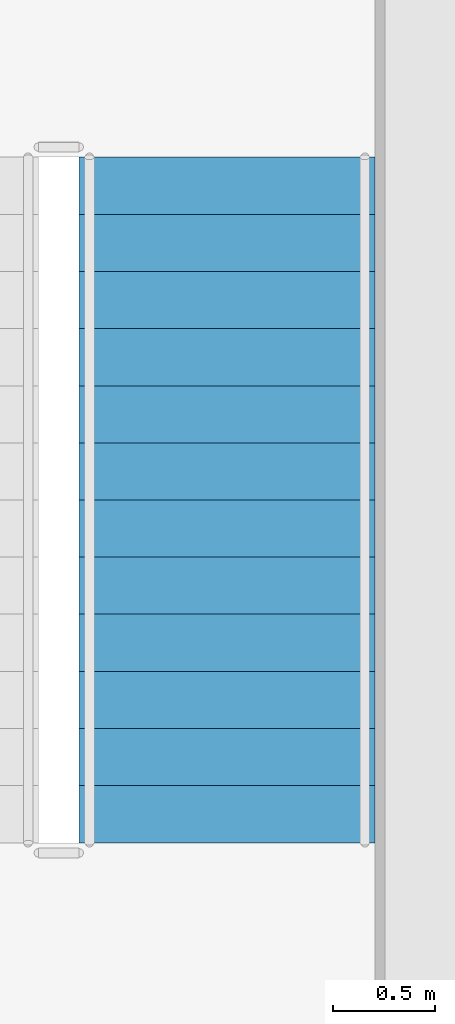
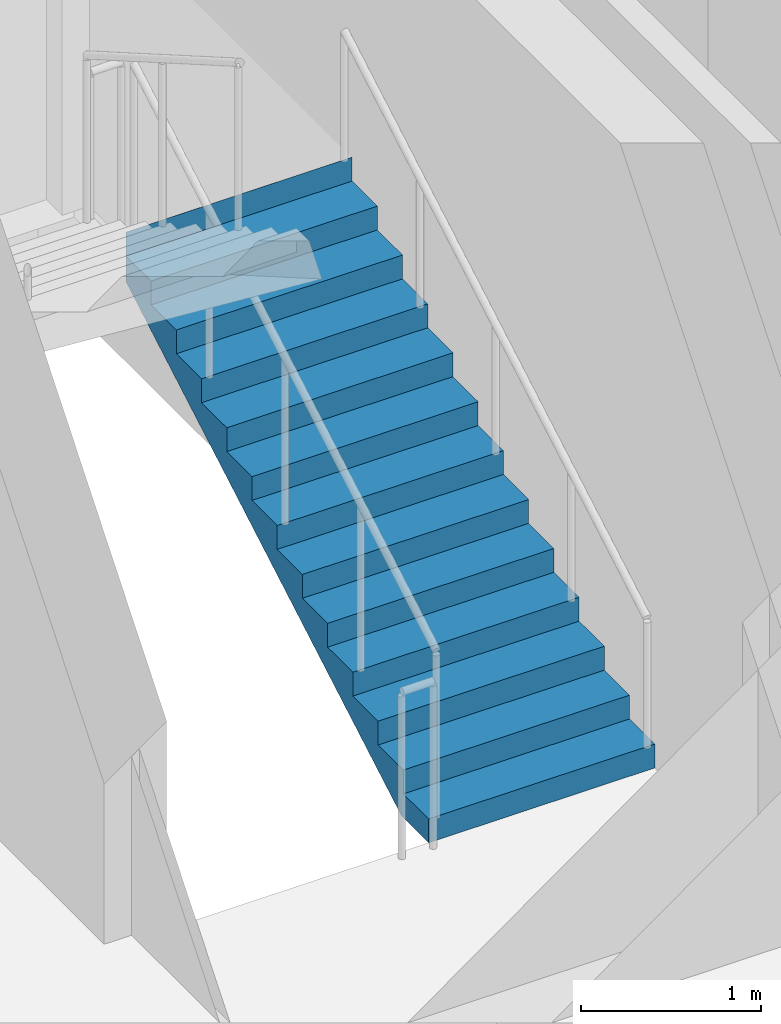
# One storey, part 9 of 11: 1 stair flight, 1 element without a shape of its own.
"""IFC4 building model written with IfcOpenShell, lengths in metres."""

from ifc_helpers import new_model, si_unit, direction, frame, origin, place, context, subcontext, project, spatial, polyline, outline, extrude, material, type_object, element, aggregate, save


model = new_model("IFC4")

# Units and contexts
model_context = context("Model", 3, precision=1e-05, world=origin(), true_north=direction((0.0, 1.0)))
body_context = subcontext(model_context, "Body", "Model", "MODEL_VIEW")
ifc_project = project(units=[si_unit("LENGTHUNIT", "METRE"), si_unit("AREAUNIT", "SQUARE_METRE"), si_unit("VOLUMEUNIT", "CUBIC_METRE"), si_unit("PLANEANGLEUNIT", "RADIAN"), si_unit("MASSUNIT", "GRAM", prefix="KILO")], contexts=[model_context])

# Site, building, storey
site_placement = place(None, origin())
site = spatial("IfcSite", under=ifc_project, at=site_placement, CompositionType="ELEMENT")
building_placement = place(site_placement, origin())
building = spatial("IfcBuilding", under=site, at=building_placement, Name="Brinegate Botanical Conservatory", CompositionType="ELEMENT")
storey_placement = place(building_placement, frame((0.0, 0.0, 23.39990234375)))
storey = spatial("IfcBuildingStorey", under=building, at=storey_placement, Name="L06", CompositionType="ELEMENT", Elevation=23.39990234375)

# Stair, stair flight
ifc_material = material(Name="Concrete C40/50", Category="concrete")
stair_type = type_object("IfcStairType", Name="Stair_HT-4200", PredefinedType="HALF_TURN_STAIR", material=ifc_material)
stair_placement = place(storey_placement, origin())
stair = element("IfcStair", 1, at=stair_placement, inside=storey, type_object=stair_type, Name="L06 Tower East Smoke-Proof Stair ST2", PredefinedType="HALF_TURN_STAIR")
stair_flight_type = type_object("IfcStairFlightType", Name="Flight_SF-4200", PredefinedType="STRAIGHT", material=ifc_material)
stair_flight_placement = place(storey_placement, frame((154.625, 96.89990234375, 0.0), z_axis=(0.0, 0.0, 1.0), x_axis=(0.0, 1.0, 0.0)))
stair_flight = element("IfcStairFlight", 2, at=stair_flight_placement, type_object=stair_flight_type, Name="ST2 flight 1", NumberOfRisers=13, NumberOfTreads=12, PredefinedType="STRAIGHT", RiserHeight=0.161538462, TreadLength=0.28, context=body_context, shape_type="SweptSolid", body=[
    extrude(outline(polyline([(-0.00048828125, 0.0), (-0.00048828125, 0.16162109375), (0.280029296875, 0.16162109375), (0.280029296875, 0.322998046875), (0.56005859375, 0.322998046875), (0.56005859375, 0.484619140625), (0.840087890625, 0.484619140625), (0.840087890625, 0.646240234375), (1.1201171875, 0.646240234375), (1.1201171875, 0.8076171875), (1.39990234375, 0.8076171875), (1.39990234375, 0.96923828125), (1.679931640625, 0.96923828125), (1.679931640625, 1.130859375), (1.9599609375, 1.130859375), (1.9599609375, 1.292236328125), (2.239990234375, 1.292236328125), (2.239990234375, 1.453857421875), (2.52001953125, 1.453857421875), (2.52001953125, 1.615478515625), (2.800048828125, 1.615478515625), (2.800048828125, 1.77685546875), (3.080078125, 1.77685546875), (3.080078125, 1.9384765625), (3.360107421875, 1.9384765625), (3.360107421875, 2.10009765625), (3.360595703125, 2.10009765625), (3.360595703125, 1.765380859375), (0.300048828125, 0.0), (-0.00048828125, 0.0)])), frame((0.0, 0.72509765625, 0.0), z_axis=(0.0, -1.0, 0.0), x_axis=(1.0, 0.0, 0.0)), (0.0, 0.0, 1.0), 1.449951171875),
])
aggregate(stair, [stair_flight])

save(model, "model.ifc")
